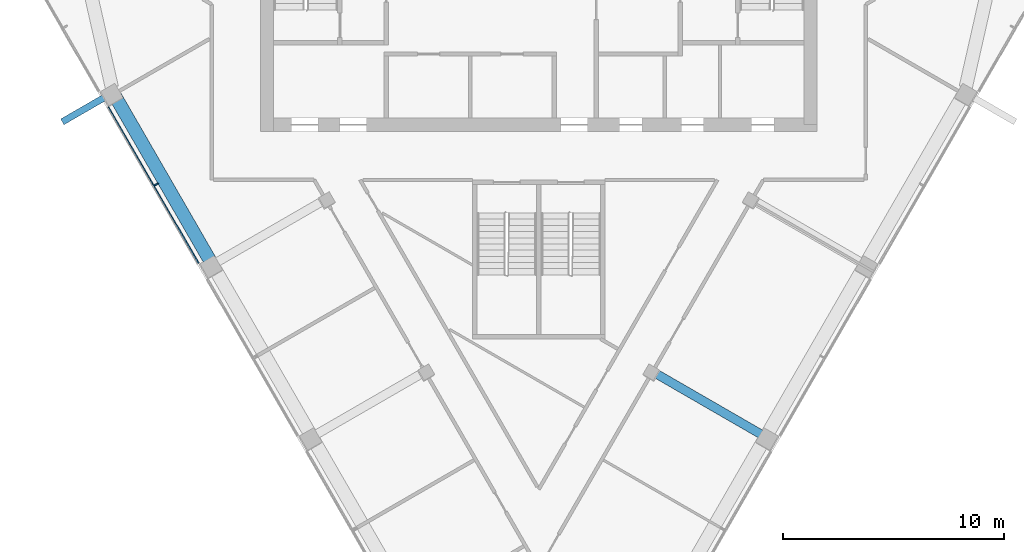
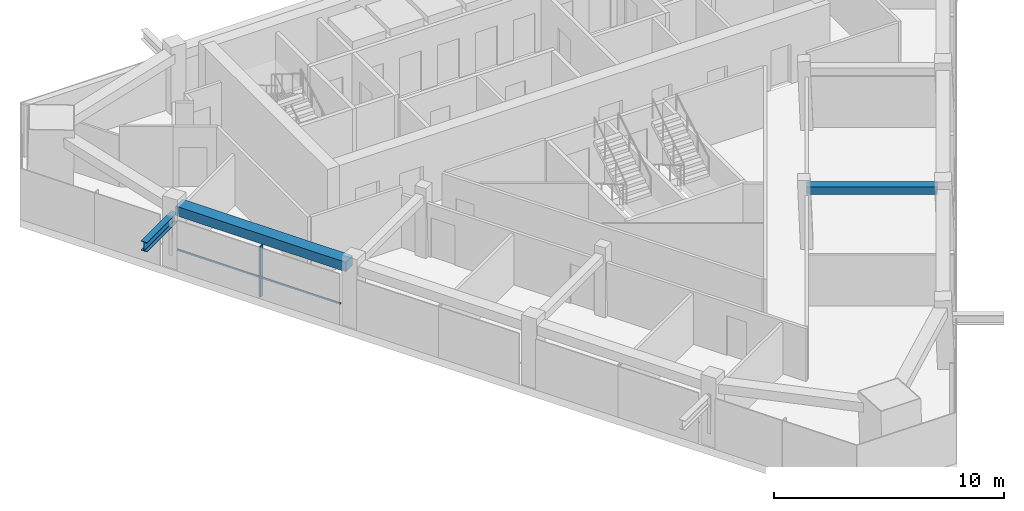
# One storey, part 3 of 12: 3 members, 2 beams, 1 element without a shape of its own.
"""IFC4 building model written with IfcOpenShell, lengths in metres."""

from ifc_helpers import new_model, si_unit, direction, frame, origin, origin_2d, place, context, subcontext, project, spatial, rectangle, i_section, extrude, material, layer, layer_set, material_profile, profile_set, type_object, element, aggregate, save


model = new_model("IFC4")

# Units and contexts
model_context = context("Model", 3, precision=1e-05, world=origin(), true_north=direction((0.0, 1.0)))
body_context = subcontext(model_context, "Body", "Model", "MODEL_VIEW")
ifc_project = project(units=[si_unit("LENGTHUNIT", "METRE"), si_unit("AREAUNIT", "SQUARE_METRE"), si_unit("VOLUMEUNIT", "CUBIC_METRE"), si_unit("PLANEANGLEUNIT", "RADIAN"), si_unit("MASSUNIT", "GRAM", prefix="KILO")], contexts=[model_context])

# Site, building, storey
site_placement = place(None, origin())
site = spatial("IfcSite", under=ifc_project, at=site_placement, CompositionType="ELEMENT")
building_placement = place(site_placement, origin())
building = spatial("IfcBuilding", under=site, at=building_placement, Name="Altiplano Prism Tower", CompositionType="ELEMENT")
storey_placement = place(building_placement, frame((0.0, 0.0, 260.800048828125)))
storey = spatial("IfcBuildingStorey", under=building, at=storey_placement, Name="L67", CompositionType="ELEMENT", Elevation=260.800048828125)

# Member
ifc_material_1 = material(Name="Steel S355", Category="steel")
ifc_material_profile_1 = material_profile(ifc_material_1, i_section(OverallWidth=0.300048828125, OverallDepth=0.5, WebThickness=0.014404296875, FlangeThickness=0.028076171875, FilletRadius=0.027099609375, at=origin_2d()), Name="Brace bracket HEB 500")
ifc_profile_set_1 = profile_set([ifc_material_profile_1], Name="Steel S355")
member_type_1 = type_object("IfcMemberType", Name="Brace bracket HEB 500", PredefinedType="STRUT", material=ifc_profile_set_1)
member_1_placement = place(storey_placement, frame((65.72802734375, 94.552734375, 2.397705078125), z_axis=(-0.866029095148, -0.499993606316, 0.0), x_axis=(0.499993606316, -0.866029095148, 0.0)))
element("IfcMember", 1, at=member_1_placement, inside=storey, type_object=member_type_1, Name="Brace bracket 1.264.4", PredefinedType="STRUT", context=body_context, shape_type="SweptSolid", body=[
    extrude(i_section(OverallWidth=0.300048828125, OverallDepth=0.5, WebThickness=0.014404296875, FlangeThickness=0.028076171875, FilletRadius=0.027099609375, at=origin_2d()), origin(), (0.0, 0.0, 1.0), 2.64990234375),
])

# Curtain wall, members
ifc_material_2 = material(Name="Aluminium and glass", Category="aluminium")
ifc_layer = layer(ifc_material_2, 0.303955078125)
ifc_layer_set = layer_set([ifc_layer], Name="Aluminium and glass")
curtain_wall_type = type_object("IfcCurtainWallType", Name="CW2 lounge-band unitised glazing", PredefinedType="NOTDEFINED", material=ifc_layer_set)
curtain_wall_placement = place(storey_placement, origin())
curtain_wall = element("IfcCurtainWall", 2, at=curtain_wall_placement, inside=storey, type_object=curtain_wall_type, Name="CW2 curtain wall south-west face L67", PredefinedType="NOTDEFINED")
ifc_material_3 = material(Name="Aluminium", Category="aluminium")
ifc_material_profile_2 = material_profile(ifc_material_3, rectangle(XDim=0.199951171875, YDim=0.06005859375, at=origin_2d()), Name="CW2 mullion 60 x 200")
ifc_profile_set_2 = profile_set([ifc_material_profile_2], Name="Aluminium")
member_type_2 = type_object("IfcMemberType", Name="CW2 mullion 60 x 200", PredefinedType="MULLION", material=ifc_profile_set_2)
member_2_placement = place(storey_placement, frame((67.68505859375, 90.39404296875, 0.0), z_axis=(0.0, 0.0, 1.0), x_axis=(0.866025400163, 0.500000006273, 0.0)))
member_2 = element("IfcMember", 3, at=member_2_placement, type_object=member_type_2, Name="CW2 mullion", PredefinedType="MULLION", context=body_context, shape_type="SweptSolid", body=[
    extrude(rectangle(XDim=0.199951171875, YDim=0.06005859375, at=origin_2d()), origin(), (0.0, 0.0, 1.0), 2.699951171875),
])
ifc_material_profile_3 = material_profile(ifc_material_3, rectangle(XDim=0.06005859375, YDim=0.080078125, at=origin_2d()), Name="CW2 transom 80 x 60")
ifc_profile_set_3 = profile_set([ifc_material_profile_3], Name="Aluminium")
member_type_3 = type_object("IfcMemberType", Name="CW2 transom 80 x 60", PredefinedType="USERDEFINED", material=ifc_profile_set_3)
member_3_placement = place(storey_placement, frame((65.51025390625, 93.90087890625, 1.099853515625), z_axis=(0.500008722908, -0.866020367552, 0.0), x_axis=(0.866020367552, 0.500008722908, 0.0)))
member_3 = element("IfcMember", 4, at=member_3_placement, type_object=member_type_3, Name="CW2 transom", ObjectType="TRANSOM", PredefinedType="USERDEFINED", context=body_context, shape_type="SweptSolid", body=[
    extrude(rectangle(XDim=0.06005859375, YDim=0.080078125, at=origin_2d()), origin(), (0.0, 0.0, 1.0), 8.169677734375),
])
aggregate(curtain_wall, [member_2, member_3])

# Beams
ifc_material_4 = material(Name="Concrete C60/75", Category="concrete")
ifc_material_profile_4 = material_profile(ifc_material_4, rectangle(XDim=0.60009765625, YDim=0.5, at=origin_2d()), Name="Edge beam 600x500")
ifc_profile_set_4 = profile_set([ifc_material_profile_4], Name="Concrete C60/75")
beam_type_1 = type_object("IfcBeamType", Name="Edge beam 600x500", PredefinedType="SPANDREL", material=ifc_profile_set_4)
beam_1_placement = place(storey_placement, frame((65.843017578125, 94.353515625, 2.949951171875), z_axis=(0.500007039007, -0.866021339774, 0.0), x_axis=(0.866021339774, 0.500007039007, 0.0)))
element("IfcBeam", 5, at=beam_1_placement, inside=storey, type_object=beam_type_1, Name="Edge beam P11-P12 L68", PredefinedType="SPANDREL", context=body_context, shape_type="SweptSolid", body=[
    extrude(rectangle(XDim=0.60009765625, YDim=0.5, at=origin_2d()), origin(), (0.0, 0.0, 1.0), 8.5400390625),
])
ifc_material_profile_5 = material_profile(ifc_material_4, rectangle(XDim=0.39990234375, YDim=0.39990234375, at=origin_2d()), Name="Tie beam 400x400")
ifc_profile_set_5 = profile_set([ifc_material_profile_5], Name="Concrete C60/75")
beam_type_2 = type_object("IfcBeamType", Name="Tie beam 400x400", PredefinedType="BEAM", material=ifc_profile_set_5)
beam_2_placement = place(storey_placement, frame((90.14501953125, 81.92431640625, 3.0), z_axis=(0.866029822496, -0.499992346489, 0.0), x_axis=(0.499992346489, 0.866029822496, 0.0)))
element("IfcBeam", 6, at=beam_2_placement, inside=storey, type_object=beam_type_2, Name="Tie beam I22 L68", PredefinedType="BEAM", context=body_context, shape_type="SweptSolid", body=[
    extrude(rectangle(XDim=0.39990234375, YDim=0.39990234375, at=origin_2d()), origin(), (0.0, 0.0, 1.0), 5.68994140625),
])

save(model, "model.ifc")
